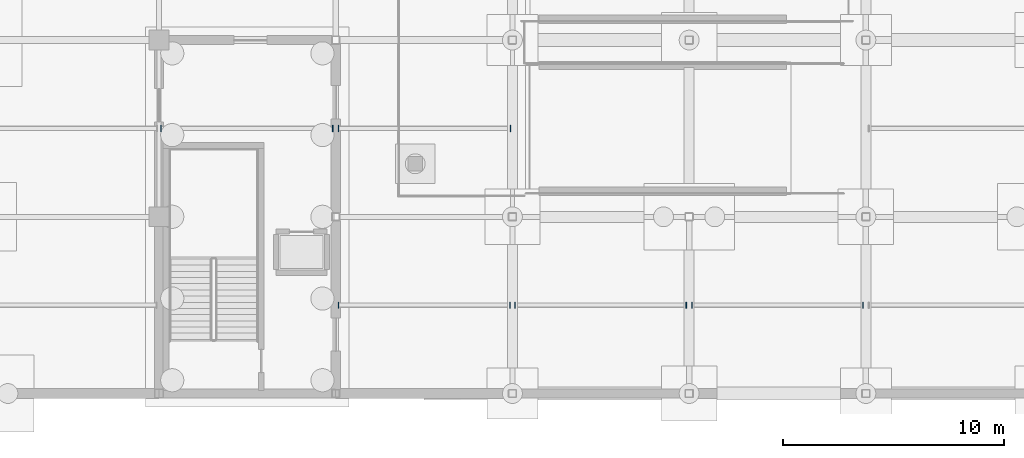
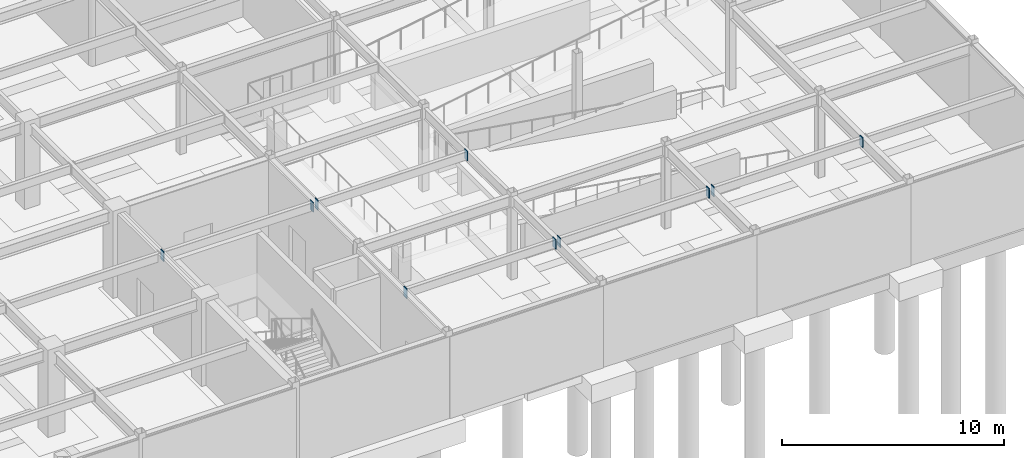
# One storey, part 88 of 105: 10 discrete accessories.
"""IFC4 building model written with IfcOpenShell, lengths in metres."""

import ifcopenshell
import ifcopenshell.guid

model = None  # the IFC model being written
_history = None  # IfcOwnerHistory: only IFC2X3 demands one
_inside = {}  # id of a spatial element -> (the spatial element, [elements in it])
_under = {}  # id of a project, library or spatial element -> (it, [spatial elements below it])
_declared = {}  # id of a project -> (the project, [libraries it declares])
_typed = {}  # id of a type object -> (the type object, [elements of that type])
_made_of = {}  # id of a material, layer set ... -> (it, [elements and type objects made of it])


def new_model(schema):
    """Start an empty IFC model of exactly this schema.

    Asked for "IFC4X3", IfcOpenShell would pick the latest addendum, in which some entities
    have other attributes; the version numbers below select the first issue.
    IFC2X3 requires an IfcOwnerHistory on every rooted entity: one is made here for all.
    """
    global model, _history
    if schema == "IFC4X3":
        model = ifcopenshell.file(schema_version=(4, 3, 0, 0))
    else:
        model = ifcopenshell.file(schema=schema)
    _inside.clear()
    _under.clear()
    _declared.clear()
    _typed.clear()
    _made_of.clear()
    _history = None
    if model.schema == "IFC2X3":
        org = make("IfcOrganization", Name="unknown")
        user = make(
            "IfcPersonAndOrganization",
            ThePerson=make("IfcPerson", FamilyName="unknown"),
            TheOrganization=org,
        )
        app = make(
            "IfcApplication",
            ApplicationDeveloper=org,
            Version="unknown",
            ApplicationFullName="unknown",
            ApplicationIdentifier="unknown",
        )
        _history = make(
            "IfcOwnerHistory",
            OwningUser=user,
            OwningApplication=app,
            ChangeAction="ADDED",
            CreationDate=0,
        )
    return model


def make(cls, **values):
    """One entity of the class cls with the attributes given. An attribute that is None is left unset."""
    return model.create_entity(
        cls, **{name: value for name, value in values.items() if value is not None}
    )


def rooted(cls, **values):
    """An entity with a GlobalId (a new one), such as an element, a storey or a relation."""
    return make(cls, GlobalId=ifcopenshell.guid.new(), OwnerHistory=_history, **values)


def si_unit(unit_type, name, prefix=None):
    """IfcSIUnit, for example si_unit("LENGTHUNIT", "METRE", prefix="MILLI")."""
    return make("IfcSIUnit", UnitType=unit_type, Prefix=prefix, Name=name)


def assignment(units):
    """IfcUnitAssignment: the units of a project."""
    return None if units is None else make("IfcUnitAssignment", Units=units)


def point(xyz):
    """IfcCartesianPoint."""
    return None if xyz is None else make("IfcCartesianPoint", Coordinates=xyz)


def direction(xyz):
    """IfcDirection."""
    return None if xyz is None else make("IfcDirection", DirectionRatios=xyz)


def frame(location, z_axis=None, x_axis=None):
    """IfcAxis2Placement3D, a coordinate frame: its origin and axes. An axis left out is left unset."""
    return make(
        "IfcAxis2Placement3D",
        Location=point(location),
        Axis=direction(z_axis),
        RefDirection=direction(x_axis),
    )


def frame_2d(location, x_axis=None):
    """IfcAxis2Placement2D, a coordinate frame in the plane: its origin and x axis."""
    return make(
        "IfcAxis2Placement2D", Location=point(location), RefDirection=direction(x_axis)
    )


def origin():
    """The frame at (0, 0, 0) with its axes left unset."""
    return frame((0.0, 0.0, 0.0))


def origin_2d():
    """The frame at (0, 0) in the plane with its x axis left unset."""
    return frame_2d((0.0, 0.0))


def place(relative_to, where):
    """IfcLocalPlacement: puts the frame where relative to a parent placement (None: the world)."""
    return make(
        "IfcLocalPlacement", PlacementRelTo=relative_to, RelativePlacement=where
    )


def context(
    kind, dimensions, precision=None, world=None, true_north=None, identifier=None
):
    """IfcGeometricRepresentationContext, for example the 3D "Model" context."""
    return make(
        "IfcGeometricRepresentationContext",
        ContextIdentifier=identifier,
        ContextType=kind,
        CoordinateSpaceDimension=dimensions,
        Precision=precision,
        WorldCoordinateSystem=world,
        TrueNorth=true_north,
    )


def subcontext(parent, identifier, kind, view, scale=None):
    """IfcGeometricRepresentationSubContext, for example "Body" below "Model"."""
    return make(
        "IfcGeometricRepresentationSubContext",
        ContextIdentifier=identifier,
        ContextType=kind,
        ParentContext=parent,
        TargetScale=scale,
        TargetView=view,
    )


def project(units=None, contexts=None):
    """IfcProject with its units and contexts."""
    return rooted(
        "IfcProject",
        Name="project",
        RepresentationContexts=contexts,
        UnitsInContext=assignment(units),
    )


def spatial(cls, under=None, at=None, **own):
    """A site, building, storey or space (cls), placed at a placement, below another one or the project."""
    s = rooted(cls, ObjectPlacement=at, **own)
    if under is not None:
        _under.setdefault(under.id(), (under, []))[1].append(s)
    return s


def profile(cls, at=None, kind="AREA", **sizes):
    """A parametric profile (cls). Its sizes go by their IFC names, for example OverallWidth=200.0."""
    return make(cls, ProfileType=kind, Position=at, **sizes)


def rectangle(**sizes):
    """IfcRectangleProfileDef."""
    return profile("IfcRectangleProfileDef", **sizes)


def extrude(swept, where, along, depth):
    """IfcExtrudedAreaSolid: the profile swept, set in the frame where, extruded along a direction by depth."""
    return make(
        "IfcExtrudedAreaSolid",
        SweptArea=swept,
        Position=where,
        ExtrudedDirection=direction(along),
        Depth=depth,
    )


def shape(context_of_items, identifier, shape_type, items):
    """IfcShapeRepresentation: the items that make up one representation, for example the "Body"."""
    return make(
        "IfcShapeRepresentation",
        ContextOfItems=context_of_items,
        RepresentationIdentifier=identifier,
        RepresentationType=shape_type,
        Items=items,
    )


def material(Name=None, Category=None):
    """IfcMaterial."""
    return make("IfcMaterial", Name=Name, Category=Category)


def layer(
    of_material, thickness, ventilated=None, Name=None, Category=None, Priority=None
):
    """IfcMaterialLayer: one layer of a wall or slab, of a material (None: an air gap)."""
    return make(
        "IfcMaterialLayer",
        Material=of_material,
        LayerThickness=thickness,
        IsVentilated=ventilated,
        Name=Name,
        Category=Category,
        Priority=Priority,
    )


def layer_set(layers, Name=None):
    """IfcMaterialLayerSet."""
    return make("IfcMaterialLayerSet", MaterialLayers=layers, LayerSetName=Name)


def made_of(thing, what):
    """Note that an element or type object is made of a material, layer set ...; save() writes the relation."""
    if what is not None:
        _made_of.setdefault(what.id(), (what, []))[1].append(thing)
    return thing


def type_object(cls, material=None, **own):
    """A type object (cls), such as IfcWallType, which elements share."""
    return made_of(rooted(cls, **own), material)


def element(
    cls,
    number,
    at=None,
    inside=None,
    cuts=None,
    type_object=None,
    material=None,
    context=None,
    identifier="Body",
    shape_type=None,
    held_by="IfcProductDefinitionShape",
    body=None,
    shapes=None,
    **own,
):
    """One element of the class cls, such as IfcWall. Its Tag is "e" and its number.

    at: its placement. inside: the storey or other place that contains it. cuts: it is an
    opening in that element (IfcRelVoidsElement). A single representation is given by context,
    identifier, shape_type and body (its items); several are given by shapes. held_by: the class
    of the entity that holds the representations. save() writes the other relations.
    """
    e = rooted(cls, Tag="e%d" % number, ObjectPlacement=at, **own)
    if body is not None:
        shapes = [shape(context, identifier, shape_type, body)]
    if shapes is not None:
        e.Representation = make(held_by, Representations=shapes)
    if inside is not None:
        _inside.setdefault(inside.id(), (inside, []))[1].append(e)
    if cuts is not None:
        rooted(
            "IfcRelVoidsElement", RelatingBuildingElement=cuts, RelatedOpeningElement=e
        )
    if type_object is not None:
        _typed.setdefault(type_object.id(), (type_object, []))[1].append(e)
    return made_of(e, material)


def aggregate(whole, parts):
    """IfcRelAggregates: a whole, such as a stair, and the parts it consists of."""
    return rooted("IfcRelAggregates", RelatingObject=whole, RelatedObjects=parts)


def save(model, path):
    """Write the relations noted so far, then the file.

    IfcRelAggregates (storeys below a building ...), IfcRelContainedInSpatialStructure (elements
    in a storey), IfcRelDefinesByType, IfcRelAssociatesMaterial and IfcRelDeclares: one each for
    every whole, place, type object, material and project.
    """
    for whole, parts in _under.values():
        aggregate(whole, parts)
    for where, things in _inside.values():
        rooted(
            "IfcRelContainedInSpatialStructure",
            RelatedElements=things,
            RelatingStructure=where,
        )
    for kind, things in _typed.values():
        rooted("IfcRelDefinesByType", RelatedObjects=things, RelatingType=kind)
    for what, things in _made_of.values():
        rooted("IfcRelAssociatesMaterial", RelatedObjects=things, RelatingMaterial=what)
    for by, libraries in _declared.values():
        rooted("IfcRelDeclares", RelatingContext=by, RelatedDefinitions=libraries)
    model.write(path)


model = new_model("IFC4")

# Units and contexts
model_context = context("Model", 3, precision=1e-05, world=origin(), true_north=direction((0.0, 1.0)))
body_context = subcontext(model_context, "Body", "Model", "MODEL_VIEW")
ifc_project = project(units=[si_unit("LENGTHUNIT", "METRE"), si_unit("AREAUNIT", "SQUARE_METRE"), si_unit("VOLUMEUNIT", "CUBIC_METRE"), si_unit("PLANEANGLEUNIT", "RADIAN"), si_unit("MASSUNIT", "GRAM", prefix="KILO")], contexts=[model_context])

# Site, building, storey
site_placement = place(None, origin())
site = spatial("IfcSite", under=ifc_project, at=site_placement, CompositionType="ELEMENT")
building_placement = place(site_placement, origin())
building = spatial("IfcBuilding", under=site, at=building_placement, Name="Solmirada Galleria", CompositionType="ELEMENT")
storey_placement = place(building_placement, frame((0.0, 0.0, -4.800048828125)))
storey = spatial("IfcBuildingStorey", under=building, at=storey_placement, Name="B1", CompositionType="ELEMENT", Elevation=-4.800048828125)

# Discrete accessories
ifc_material = material(Name="Steel S355 / ASTM A572 Grade 50", Category="steel")
ifc_layer = layer(ifc_material, 0.031982421875)
ifc_layer_set = layer_set([ifc_layer], Name="Steel S355 / ASTM A572 Grade 50")
discrete_accessory_type = type_object("IfcDiscreteAccessoryType", Name="ACC-COL-CAP", PredefinedType="BRACKET", material=ifc_layer_set)
for number, where, z_axis, x_axis, name in (
    (1, (136.089111328125, 12.0, 4.08154296875), (0.0, 0.0, 1.0), (1.0, 0.0, 0.0), "Hollow joist end plate L00-18-02-L"),
    (2, (143.8720703125, 12.0, 4.08154296875), (0.0, 0.0, 1.0), (1.0, 0.0, 0.0), "Hollow joist end plate L00-18-02-R"),
    (3, (144.1279296875, 4.0, 4.08154296875), (0.0, 0.0, 1.0), (1.0, 0.0, 0.0), "Hollow joist end plate L00-19-01-L"),
    (4, (151.885986328125, 4.0, 4.08154296875), (0.0, 0.0, 1.0), (1.0, 0.0, 0.0), "Hollow joist end plate L00-19-01-R"),
    (5, (144.1279296875, 12.0, 4.08154296875), (0.0, 0.0, 1.0), (1.0, 0.0, 0.0), "Hollow joist end plate L00-19-02-L"),
    (6, (151.910888671875, 12.0, 4.08154296875), (0.0, 0.0, 1.0), (1.0, 0.0, 0.0), "Hollow joist end plate L00-19-02-R"),
    (7, (152.114013671875, 4.0, 4.08154296875), (0.0, 0.0, 1.0), (1.0, 0.0, 0.0), "Hollow joist end plate L00-20-01-L"),
    (8, (159.873046875, 4.0, 4.08154296875), (0.0, 0.0, 1.0), (1.0, 0.0, 0.0), "Hollow joist end plate L00-20-01-R"),
    (9, (160.126953125, 4.0, 4.08154296875), (0.0, 0.0, 1.0), (1.0, 0.0, 0.0), "Hollow joist end plate L00-21-01-L"),
    (10, (167.8720703125, 4.0, 4.08154296875), (0.0, 0.0, 1.0), (1.0, 0.0, 0.0), "Hollow joist end plate L00-21-01-R"),
):
    element("IfcDiscreteAccessory", number, at=place(storey_placement, frame(where, z_axis=z_axis, x_axis=x_axis)), inside=storey, type_object=discrete_accessory_type, Name=name, PredefinedType="BRACKET", context=body_context, shape_type="SweptSolid", body=[
        extrude(rectangle(XDim=0.035888671875, YDim=0.280029296875, at=origin_2d()), origin(), (0.0, 0.0, 1.0), 0.5400390625),
    ])

save(model, "model.ifc")
